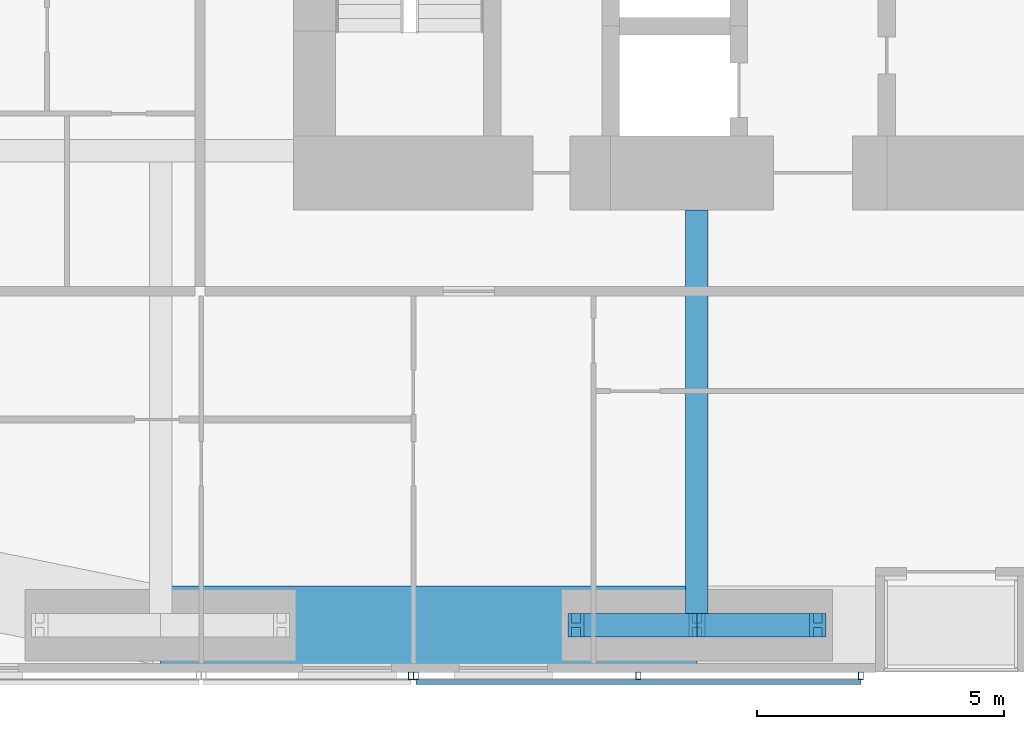
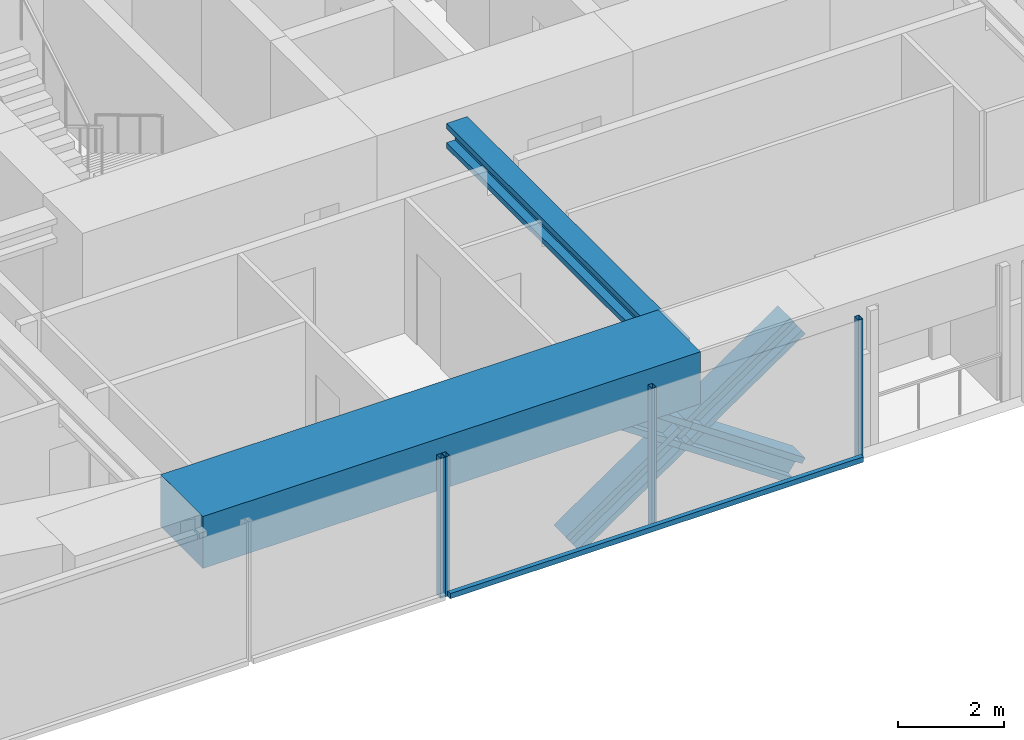
# One storey, part 4 of 24: 9 members, 2 beams, 2 elements without a shape of their own.
"""IFC4 building model written with IfcOpenShell, lengths in metres."""

import ifcopenshell
import ifcopenshell.guid

model = None  # the IFC model being written
_history = None  # IfcOwnerHistory: only IFC2X3 demands one
_inside = {}  # id of a spatial element -> (the spatial element, [elements in it])
_under = {}  # id of a project, library or spatial element -> (it, [spatial elements below it])
_declared = {}  # id of a project -> (the project, [libraries it declares])
_typed = {}  # id of a type object -> (the type object, [elements of that type])
_made_of = {}  # id of a material, layer set ... -> (it, [elements and type objects made of it])


def new_model(schema):
    """Start an empty IFC model of exactly this schema.

    Asked for "IFC4X3", IfcOpenShell would pick the latest addendum, in which some entities
    have other attributes; the version numbers below select the first issue.
    IFC2X3 requires an IfcOwnerHistory on every rooted entity: one is made here for all.
    """
    global model, _history
    if schema == "IFC4X3":
        model = ifcopenshell.file(schema_version=(4, 3, 0, 0))
    else:
        model = ifcopenshell.file(schema=schema)
    _inside.clear()
    _under.clear()
    _declared.clear()
    _typed.clear()
    _made_of.clear()
    _history = None
    if model.schema == "IFC2X3":
        org = make("IfcOrganization", Name="unknown")
        user = make(
            "IfcPersonAndOrganization",
            ThePerson=make("IfcPerson", FamilyName="unknown"),
            TheOrganization=org,
        )
        app = make(
            "IfcApplication",
            ApplicationDeveloper=org,
            Version="unknown",
            ApplicationFullName="unknown",
            ApplicationIdentifier="unknown",
        )
        _history = make(
            "IfcOwnerHistory",
            OwningUser=user,
            OwningApplication=app,
            ChangeAction="ADDED",
            CreationDate=0,
        )
    return model


def make(cls, **values):
    """One entity of the class cls with the attributes given. An attribute that is None is left unset."""
    return model.create_entity(
        cls, **{name: value for name, value in values.items() if value is not None}
    )


def rooted(cls, **values):
    """An entity with a GlobalId (a new one), such as an element, a storey or a relation."""
    return make(cls, GlobalId=ifcopenshell.guid.new(), OwnerHistory=_history, **values)


def si_unit(unit_type, name, prefix=None):
    """IfcSIUnit, for example si_unit("LENGTHUNIT", "METRE", prefix="MILLI")."""
    return make("IfcSIUnit", UnitType=unit_type, Prefix=prefix, Name=name)


def assignment(units):
    """IfcUnitAssignment: the units of a project."""
    return None if units is None else make("IfcUnitAssignment", Units=units)


def point(xyz):
    """IfcCartesianPoint."""
    return None if xyz is None else make("IfcCartesianPoint", Coordinates=xyz)


def direction(xyz):
    """IfcDirection."""
    return None if xyz is None else make("IfcDirection", DirectionRatios=xyz)


def frame(location, z_axis=None, x_axis=None):
    """IfcAxis2Placement3D, a coordinate frame: its origin and axes. An axis left out is left unset."""
    return make(
        "IfcAxis2Placement3D",
        Location=point(location),
        Axis=direction(z_axis),
        RefDirection=direction(x_axis),
    )


def frame_2d(location, x_axis=None):
    """IfcAxis2Placement2D, a coordinate frame in the plane: its origin and x axis."""
    return make(
        "IfcAxis2Placement2D", Location=point(location), RefDirection=direction(x_axis)
    )


def origin():
    """The frame at (0, 0, 0) with its axes left unset."""
    return frame((0.0, 0.0, 0.0))


def origin_2d():
    """The frame at (0, 0) in the plane with its x axis left unset."""
    return frame_2d((0.0, 0.0))


def place(relative_to, where):
    """IfcLocalPlacement: puts the frame where relative to a parent placement (None: the world)."""
    return make(
        "IfcLocalPlacement", PlacementRelTo=relative_to, RelativePlacement=where
    )


def context(
    kind, dimensions, precision=None, world=None, true_north=None, identifier=None
):
    """IfcGeometricRepresentationContext, for example the 3D "Model" context."""
    return make(
        "IfcGeometricRepresentationContext",
        ContextIdentifier=identifier,
        ContextType=kind,
        CoordinateSpaceDimension=dimensions,
        Precision=precision,
        WorldCoordinateSystem=world,
        TrueNorth=true_north,
    )


def subcontext(parent, identifier, kind, view, scale=None):
    """IfcGeometricRepresentationSubContext, for example "Body" below "Model"."""
    return make(
        "IfcGeometricRepresentationSubContext",
        ContextIdentifier=identifier,
        ContextType=kind,
        ParentContext=parent,
        TargetScale=scale,
        TargetView=view,
    )


def project(units=None, contexts=None):
    """IfcProject with its units and contexts."""
    return rooted(
        "IfcProject",
        Name="project",
        RepresentationContexts=contexts,
        UnitsInContext=assignment(units),
    )


def spatial(cls, under=None, at=None, **own):
    """A site, building, storey or space (cls), placed at a placement, below another one or the project."""
    s = rooted(cls, ObjectPlacement=at, **own)
    if under is not None:
        _under.setdefault(under.id(), (under, []))[1].append(s)
    return s


def profile(cls, at=None, kind="AREA", **sizes):
    """A parametric profile (cls). Its sizes go by their IFC names, for example OverallWidth=200.0."""
    return make(cls, ProfileType=kind, Position=at, **sizes)


def rectangle(**sizes):
    """IfcRectangleProfileDef."""
    return profile("IfcRectangleProfileDef", **sizes)


def hollow_rectangle(**sizes):
    """IfcRectangleHollowProfileDef."""
    return profile("IfcRectangleHollowProfileDef", **sizes)


def i_section(**sizes):
    """IfcIShapeProfileDef."""
    return profile("IfcIShapeProfileDef", **sizes)


def extrude(swept, where, along, depth):
    """IfcExtrudedAreaSolid: the profile swept, set in the frame where, extruded along a direction by depth."""
    return make(
        "IfcExtrudedAreaSolid",
        SweptArea=swept,
        Position=where,
        ExtrudedDirection=direction(along),
        Depth=depth,
    )


def shape(context_of_items, identifier, shape_type, items):
    """IfcShapeRepresentation: the items that make up one representation, for example the "Body"."""
    return make(
        "IfcShapeRepresentation",
        ContextOfItems=context_of_items,
        RepresentationIdentifier=identifier,
        RepresentationType=shape_type,
        Items=items,
    )


def material(Name=None, Category=None):
    """IfcMaterial."""
    return make("IfcMaterial", Name=Name, Category=Category)


def material_profile(
    of_material, cross_section, Name=None, Category=None, Priority=None
):
    """IfcMaterialProfile: a cross section and its material."""
    return make(
        "IfcMaterialProfile",
        Name=Name,
        Material=of_material,
        Profile=cross_section,
        Priority=Priority,
        Category=Category,
    )


def profile_set(profiles, Name=None, composite=None):
    """IfcMaterialProfileSet."""
    return make(
        "IfcMaterialProfileSet",
        Name=Name,
        MaterialProfiles=profiles,
        CompositeProfile=composite,
    )


def made_of(thing, what):
    """Note that an element or type object is made of a material, layer set ...; save() writes the relation."""
    if what is not None:
        _made_of.setdefault(what.id(), (what, []))[1].append(thing)
    return thing


def type_object(cls, material=None, **own):
    """A type object (cls), such as IfcWallType, which elements share."""
    return made_of(rooted(cls, **own), material)


def element(
    cls,
    number,
    at=None,
    inside=None,
    cuts=None,
    type_object=None,
    material=None,
    context=None,
    identifier="Body",
    shape_type=None,
    held_by="IfcProductDefinitionShape",
    body=None,
    shapes=None,
    **own,
):
    """One element of the class cls, such as IfcWall. Its Tag is "e" and its number.

    at: its placement. inside: the storey or other place that contains it. cuts: it is an
    opening in that element (IfcRelVoidsElement). A single representation is given by context,
    identifier, shape_type and body (its items); several are given by shapes. held_by: the class
    of the entity that holds the representations. save() writes the other relations.
    """
    e = rooted(cls, Tag="e%d" % number, ObjectPlacement=at, **own)
    if body is not None:
        shapes = [shape(context, identifier, shape_type, body)]
    if shapes is not None:
        e.Representation = make(held_by, Representations=shapes)
    if inside is not None:
        _inside.setdefault(inside.id(), (inside, []))[1].append(e)
    if cuts is not None:
        rooted(
            "IfcRelVoidsElement", RelatingBuildingElement=cuts, RelatedOpeningElement=e
        )
    if type_object is not None:
        _typed.setdefault(type_object.id(), (type_object, []))[1].append(e)
    return made_of(e, material)


def aggregate(whole, parts):
    """IfcRelAggregates: a whole, such as a stair, and the parts it consists of."""
    return rooted("IfcRelAggregates", RelatingObject=whole, RelatedObjects=parts)


def save(model, path):
    """Write the relations noted so far, then the file.

    IfcRelAggregates (storeys below a building ...), IfcRelContainedInSpatialStructure (elements
    in a storey), IfcRelDefinesByType, IfcRelAssociatesMaterial and IfcRelDeclares: one each for
    every whole, place, type object, material and project.
    """
    for whole, parts in _under.values():
        aggregate(whole, parts)
    for where, things in _inside.values():
        rooted(
            "IfcRelContainedInSpatialStructure",
            RelatedElements=things,
            RelatingStructure=where,
        )
    for kind, things in _typed.values():
        rooted("IfcRelDefinesByType", RelatedObjects=things, RelatingType=kind)
    for what, things in _made_of.values():
        rooted("IfcRelAssociatesMaterial", RelatedObjects=things, RelatingMaterial=what)
    for by, libraries in _declared.values():
        rooted("IfcRelDeclares", RelatingContext=by, RelatedDefinitions=libraries)
    model.write(path)


model = new_model("IFC4")

# Units and contexts
model_context = context("Model", 3, precision=1e-05, world=origin(), true_north=direction((0.0, 1.0)))
body_context = subcontext(model_context, "Body", "Model", "MODEL_VIEW")
ifc_project = project(units=[si_unit("LENGTHUNIT", "METRE"), si_unit("AREAUNIT", "SQUARE_METRE"), si_unit("VOLUMEUNIT", "CUBIC_METRE"), si_unit("PLANEANGLEUNIT", "RADIAN"), si_unit("MASSUNIT", "GRAM", prefix="KILO")], contexts=[model_context])

# Site, building, storey
site_placement = place(None, origin())
site = spatial("IfcSite", under=ifc_project, at=site_placement, CompositionType="ELEMENT")
building_placement = place(site_placement, origin())
building = spatial("IfcBuilding", under=site, at=building_placement, Name="Jalousie Tower", CompositionType="ELEMENT")
storey_placement = place(building_placement, frame((0.0, 0.0, 131.64990234375)))
storey = spatial("IfcBuildingStorey", under=building, at=storey_placement, Name="L36", CompositionType="ELEMENT", Elevation=131.64990234375)

# Beam
ifc_material_1 = material(Name="Steel ASTM A992 Grade 50", Category="steel")
ifc_material_profile_1 = material_profile(ifc_material_1, i_section(OverallWidth=0.45458984375, OverallDepth=0.569091796875, WebThickness=0.077880859375, FlangeThickness=0.124755859375, at=origin_2d()), Name="W14X730")
ifc_profile_set_1 = profile_set([ifc_material_profile_1], Name="Steel ASTM A992 Grade 50")
beam_type_1 = type_object("IfcBeamType", Name="LEAN COLLECTOR W14X730", PredefinedType="BEAM", material=ifc_profile_set_1)
beam_1_placement = place(storey_placement, frame((27.75, 0.949951171875, 2.82568359375), z_axis=(0.0, 1.0, 0.0), x_axis=(-1.0, 0.0, 0.0)))
element("IfcBeam", 1, at=beam_1_placement, inside=storey, type_object=beam_type_1, Name="Lean collector under L37", PredefinedType="BEAM", context=body_context, shape_type="SweptSolid", body=[
    extrude(i_section(OverallWidth=0.45458984375, OverallDepth=0.569091796875, WebThickness=0.077880859375, FlangeThickness=0.124755859375, at=origin_2d()), origin(), (0.0, 0.0, 1.0), 8.425048828125),
])

# Members
ifc_material_2 = material(Name="Steel ASTM A992 Grade 50", Category="steel")
ifc_material_profile_2 = material_profile(ifc_material_2, i_section(OverallWidth=0.472412109375, OverallDepth=0.5791015625, WebThickness=0.094970703125, FlangeThickness=0.1298828125, at=origin_2d()), Name="W14X808")
ifc_profile_set_2 = profile_set([ifc_material_profile_2], Name="Steel ASTM A992 Grade 50")
member_type_1 = type_object("IfcMemberType", Name="PERIMETER BRACE W14X808", PredefinedType="BRACE", material=ifc_profile_set_2)
for number, where, z_axis, x_axis, name in (
    (2, (25.300048828125, 0.949951171875, -0.599853515625), (0.825500916831, 0.0, 0.564400776321), (0.0, 1.0, 0.0), "Perimeter brace 03 L36 part 1"),
    (3, (27.75, 0.949951171875, 1.0751953125), (0.825539243753, 0.0, 0.564344714713), (0.0, 1.0, 0.0), "Perimeter brace 03 L36 part 2"),
    (4, (30.199951171875, 0.949951171875, -0.599853515625), (-0.825500916831, 0.0, 0.564400776321), (0.0, -1.0, 0.0), "Perimeter brace 03 L36 part 3"),
    (5, (27.75, 0.949951171875, 1.0751953125), (-0.825539243753, 0.0, 0.564344714713), (0.0, -1.0, 0.0), "Perimeter brace 03 L36 part 4"),
):
    element("IfcMember", number, at=place(storey_placement, frame(where, z_axis=z_axis, x_axis=x_axis)), inside=storey, type_object=member_type_1, Name=name, PredefinedType="BRACE", context=body_context, shape_type="SweptSolid", body=[
        extrude(i_section(OverallWidth=0.472412109375, OverallDepth=0.5791015625, WebThickness=0.094970703125, FlangeThickness=0.1298828125, at=origin_2d()), origin(), (0.0, 0.0, 1.0), 2.9677734375),
    ])

# Beam
ifc_material_3 = material(Name="Concrete f'c 40 MPa", Category="concrete")
ifc_material_profile_3 = material_profile(ifc_material_3, rectangle(XDim=1.60009765625, YDim=1.199951171875, at=origin_2d()), Name="RC 1600x1200")
ifc_profile_set_3 = profile_set([ifc_material_profile_3], Name="Concrete f'c 40 MPa")
beam_type_2 = type_object("IfcBeamType", Name="RC BEAM 1600x1200", PredefinedType="BEAM", material=ifc_profile_set_3)
beam_2_placement = place(storey_placement, frame((16.875, 0.949951171875, 2.75), z_axis=(1.0, 0.0, 0.0), x_axis=(0.0, 1.0, 0.0)))
element("IfcBeam", 6, at=beam_2_placement, inside=storey, type_object=beam_type_2, Name="Edge band beam 02-03 under L37", PredefinedType="BEAM", context=body_context, shape_type="SweptSolid", body=[
    extrude(rectangle(XDim=1.60009765625, YDim=1.199951171875, at=origin_2d()), origin(), (0.0, 0.0, 1.0), 10.875),
])

# Curtain wall, member
ifc_material_4 = material(Name="Perforated aluminium sheet", Category="aluminium")
curtain_wall_type = type_object("IfcCurtainWallType", Name="SOLAR SCREEN SS-1", PredefinedType="USERDEFINED", material=ifc_material_4)
curtain_wall_1_placement = place(storey_placement, origin())
curtain_wall_1 = element("IfcCurtainWall", 7, at=curtain_wall_1_placement, inside=storey, type_object=curtain_wall_type, Name="Solar screen L36", ObjectType="SOLAR SCREEN SS-1", PredefinedType="USERDEFINED")
ifc_material_5 = material(Name="Steel ASTM A500 Grade C", Category="steel")
ifc_material_profile_4 = material_profile(ifc_material_5, hollow_rectangle(XDim=0.1015625, YDim=0.15234375, WallThickness=0.00634765625, at=origin_2d()), Name="HSS6X4X1/4")
ifc_profile_set_4 = profile_set([ifc_material_profile_4], Name="Steel ASTM A500 Grade C")
member_type_2 = type_object("IfcMemberType", Name="SOLAR SCREEN SS-1 MULLION", PredefinedType="MULLION", material=ifc_profile_set_4)
member_1_placement = place(storey_placement, frame((21.949951171875, -0.0712890625, -0.119873046875), z_axis=(0.0, 0.0, 1.0), x_axis=(1.0, 0.0, 0.0)))
member_1 = element("IfcMember", 8, at=member_1_placement, type_object=member_type_2, Name="SS1 post 2", PredefinedType="MULLION", context=body_context, shape_type="SweptSolid", body=[
    extrude(hollow_rectangle(XDim=0.1015625, YDim=0.15234375, WallThickness=0.00634765625, at=origin_2d()), origin(), (0.0, 0.0, 1.0), 3.22998046875),
])
aggregate(curtain_wall_1, [member_1])

# Curtain wall, members
curtain_wall_2_placement = place(storey_placement, origin())
curtain_wall_2 = element("IfcCurtainWall", 9, at=curtain_wall_2_placement, inside=storey, type_object=curtain_wall_type, Name="Solar screen L36", ObjectType="SOLAR SCREEN SS-1", PredefinedType="USERDEFINED")
member_2_placement = place(storey_placement, frame((22.050048828125, -0.0712890625, -0.119873046875), z_axis=(0.0, 0.0, 1.0), x_axis=(1.0, 0.0, 0.0)))
member_2 = element("IfcMember", 10, at=member_2_placement, type_object=member_type_2, Name="SS1 post 1", PredefinedType="MULLION", context=body_context, shape_type="SweptSolid", body=[
    extrude(hollow_rectangle(XDim=0.1015625, YDim=0.15234375, WallThickness=0.00634765625, at=origin_2d()), origin(), (0.0, 0.0, 1.0), 3.22998046875),
])
member_3_placement = place(storey_placement, frame((26.5625, -0.0712890625, -0.119873046875), z_axis=(0.0, 0.0, 1.0), x_axis=(1.0, 0.0, 0.0)))
member_3 = element("IfcMember", 11, at=member_3_placement, type_object=member_type_2, Name="SS1 post 2", PredefinedType="MULLION", context=body_context, shape_type="SweptSolid", body=[
    extrude(hollow_rectangle(XDim=0.1015625, YDim=0.15234375, WallThickness=0.00634765625, at=origin_2d()), origin(), (0.0, 0.0, 1.0), 3.22998046875),
])
member_4_placement = place(storey_placement, frame((31.074951171875, -0.0712890625, -0.119873046875), z_axis=(0.0, 0.0, 1.0), x_axis=(1.0, 0.0, 0.0)))
member_4 = element("IfcMember", 12, at=member_4_placement, type_object=member_type_2, Name="SS1 post 3", PredefinedType="MULLION", context=body_context, shape_type="SweptSolid", body=[
    extrude(hollow_rectangle(XDim=0.1015625, YDim=0.15234375, WallThickness=0.00634765625, at=origin_2d()), origin(), (0.0, 0.0, 1.0), 3.22998046875),
])
ifc_material_6 = material(Name="Extruded aluminium screen rail", Category="aluminium")
ifc_material_profile_5 = material_profile(ifc_material_6, rectangle(XDim=0.1015625, YDim=0.1201171875, at=origin_2d()), Name="RAIL 102x120")
ifc_profile_set_5 = profile_set([ifc_material_profile_5], Name="Extruded aluminium screen rail")
member_type_3 = type_object("IfcMemberType", Name="SOLAR SCREEN SS-1 TRANSOM", PredefinedType="USERDEFINED", material=ifc_profile_set_5)
member_5_placement = place(storey_placement, frame((22.050048828125, -0.1982421875, -0.059814453125), z_axis=(1.0, 0.0, 0.0), x_axis=(0.0, 1.0, 0.0)))
member_5 = element("IfcMember", 13, at=member_5_placement, type_object=member_type_3, Name="SS1 rail", ObjectType="TRANSOM", PredefinedType="USERDEFINED", context=body_context, shape_type="SweptSolid", body=[
    extrude(rectangle(XDim=0.1015625, YDim=0.1201171875, at=origin_2d()), origin(), (0.0, 0.0, 1.0), 9.02490234375),
])
aggregate(curtain_wall_2, [member_2, member_3, member_4, member_5])

save(model, "model.ifc")
